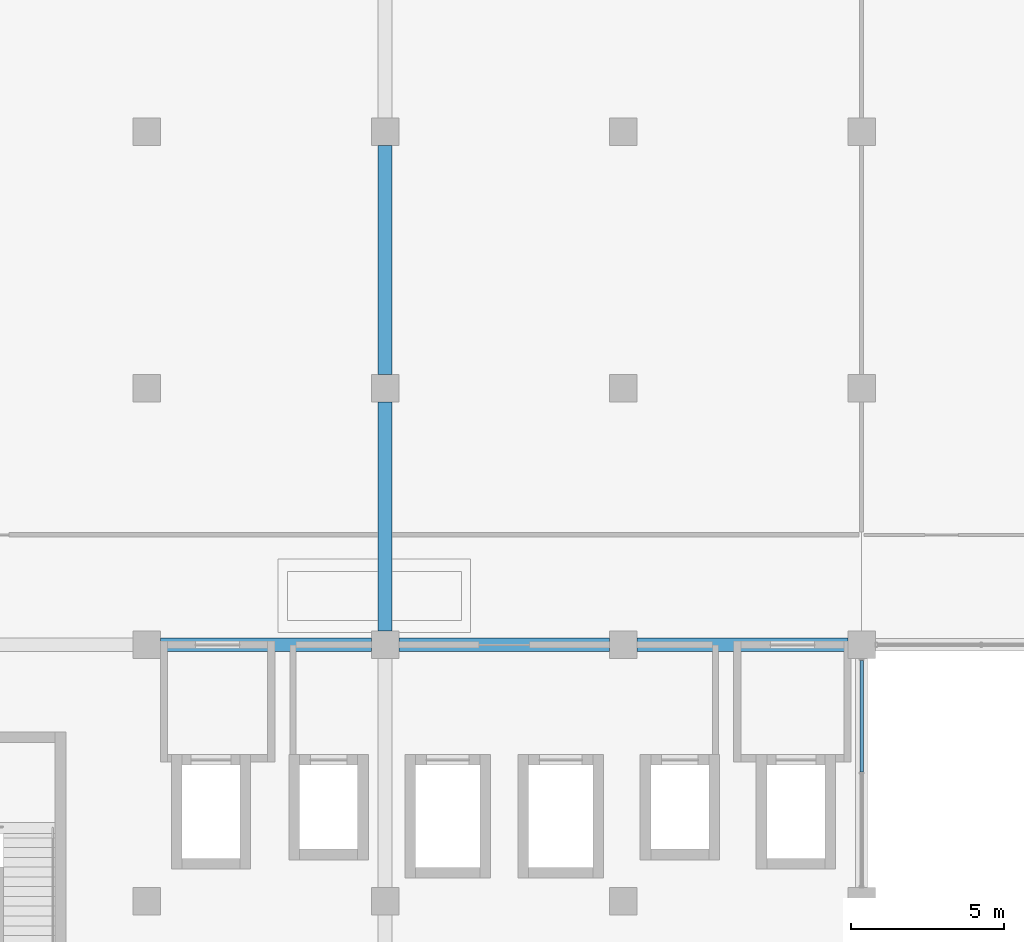
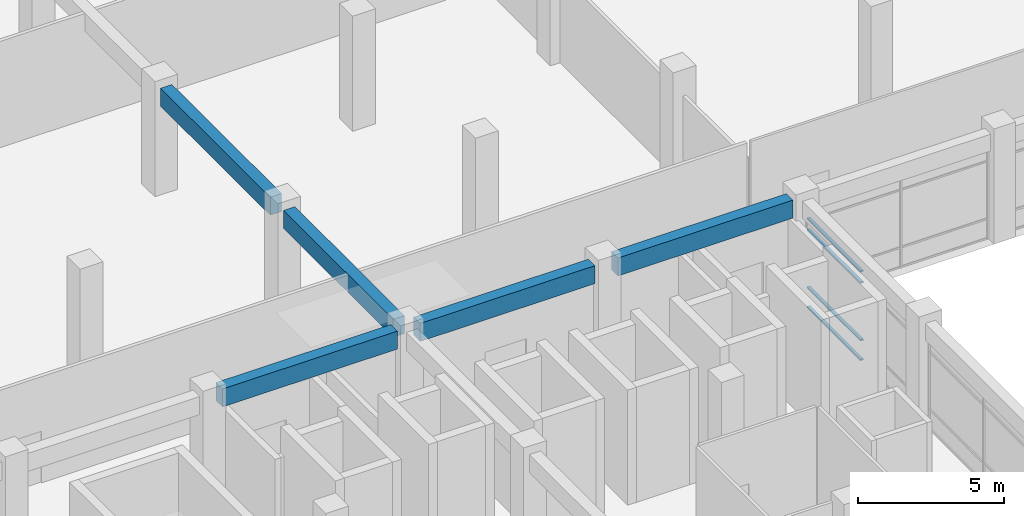
# One storey, part 9 of 79: 5 beams, 4 members, 1 element without a shape of its own.
"""IFC4 building model written with IfcOpenShell, lengths in metres."""

from ifc_helpers import new_model, si_unit, direction, frame, origin, origin_2d, place, context, subcontext, project, spatial, rectangle, hollow_rectangle, extrude, material, material_profile, profile_set, type_object, element, aggregate, save


model = new_model("IFC4")

# Units and contexts
model_context = context("Model", 3, precision=1e-05, world=origin(), true_north=direction((0.0, 1.0)))
body_context = subcontext(model_context, "Body", "Model", "MODEL_VIEW")
ifc_project = project(units=[si_unit("LENGTHUNIT", "METRE"), si_unit("AREAUNIT", "SQUARE_METRE"), si_unit("VOLUMEUNIT", "CUBIC_METRE"), si_unit("PLANEANGLEUNIT", "RADIAN"), si_unit("MASSUNIT", "GRAM", prefix="KILO"), si_unit("THERMODYNAMICTEMPERATUREUNIT", "KELVIN"), si_unit("POWERUNIT", "WATT")], contexts=[model_context])

# Site, building, storey
site_placement = place(None, origin())
site = spatial("IfcSite", under=ifc_project, at=site_placement, CompositionType="ELEMENT")
building_placement = place(site_placement, origin())
building = spatial("IfcBuilding", under=site, at=building_placement, Name="Srebrne Nadtorze General Hospital", CompositionType="ELEMENT")
storey_placement = place(building_placement, frame((0.0, 0.0, 4.800048828125)))
storey = spatial("IfcBuildingStorey", under=building, at=storey_placement, Name="L01", CompositionType="ELEMENT", Elevation=4.800048828125)

# Curtain wall, members
ifc_material_1 = material(Name="Anodised Aluminium", Category="aluminium")
curtain_wall_type = type_object("IfcCurtainWallType", Name="Unitised curtain wall 7500x3750", PredefinedType="NOTDEFINED", material=ifc_material_1)
curtain_wall_placement = place(storey_placement, origin())
curtain_wall = element("IfcCurtainWall", 1, at=curtain_wall_placement, inside=storey, type_object=curtain_wall_type, Name="Curtain wall CW-058", PredefinedType="NOTDEFINED")
ifc_material_2 = material(Name="Anodised Aluminium", Category="aluminium")
ifc_material_profile_1 = material_profile(ifc_material_2, hollow_rectangle(XDim=0.06005859375, YDim=0.1201171875, WallThickness=0.00390625, at=origin_2d()), Name="AL-TRN-60x120")
ifc_profile_set_1 = profile_set([ifc_material_profile_1], Name="Anodised Aluminium")
member_type = type_object("IfcMemberType", Name="Curtain transom 60x120", PredefinedType="USERDEFINED", material=ifc_profile_set_1)
member_1_placement = place(storey_placement, frame((54.60009765625, 46.22998046875, 0.030029296875), z_axis=(0.0, 1.0, 0.0), x_axis=(0.0, 0.0, 1.0)))
member_1 = element("IfcMember", 2, at=member_1_placement, type_object=member_type, Name="CW-058 transom 2.1", ObjectType="TRANSOM", PredefinedType="USERDEFINED", context=body_context, shape_type="SweptSolid", body=[
    extrude(hollow_rectangle(XDim=0.06005859375, YDim=0.1201171875, WallThickness=0.00390625, at=origin_2d()), origin(), (0.0, 0.0, 1.0), 3.659912109375),
])
member_2_placement = place(storey_placement, frame((54.60009765625, 46.22998046875, 0.849853515625), z_axis=(0.0, 1.0, 0.0), x_axis=(0.0, 0.0, 1.0)))
member_2 = element("IfcMember", 3, at=member_2_placement, type_object=member_type, Name="CW-058 transom 2.2", ObjectType="TRANSOM", PredefinedType="USERDEFINED", context=body_context, shape_type="SweptSolid", body=[
    extrude(hollow_rectangle(XDim=0.06005859375, YDim=0.1201171875, WallThickness=0.00390625, at=origin_2d()), origin(), (0.0, 0.0, 1.0), 3.659912109375),
])
member_3_placement = place(storey_placement, frame((54.60009765625, 46.22998046875, 3.25), z_axis=(0.0, 1.0, 0.0), x_axis=(0.0, 0.0, 1.0)))
member_3 = element("IfcMember", 4, at=member_3_placement, type_object=member_type, Name="CW-058 transom 2.3", ObjectType="TRANSOM", PredefinedType="USERDEFINED", context=body_context, shape_type="SweptSolid", body=[
    extrude(hollow_rectangle(XDim=0.06005859375, YDim=0.1201171875, WallThickness=0.00390625, at=origin_2d()), origin(), (0.0, 0.0, 1.0), 3.659912109375),
])
member_4_placement = place(storey_placement, frame((54.60009765625, 46.22998046875, 3.719970703125), z_axis=(0.0, 1.0, 0.0), x_axis=(0.0, 0.0, 1.0)))
member_4 = element("IfcMember", 5, at=member_4_placement, type_object=member_type, Name="CW-058 transom 2.4", ObjectType="TRANSOM", PredefinedType="USERDEFINED", context=body_context, shape_type="SweptSolid", body=[
    extrude(hollow_rectangle(XDim=0.06005859375, YDim=0.1201171875, WallThickness=0.00390625, at=origin_2d()), origin(), (0.0, 0.0, 1.0), 3.659912109375),
])
aggregate(curtain_wall, [member_1, member_2, member_3, member_4])

# Beams
ifc_material_3 = material(Name="Concrete C40/50", Category="concrete")
ifc_material_profile_2 = material_profile(ifc_material_3, rectangle(XDim=0.449951171875, YDim=0.75, at=origin_2d()), Name="RC-BM-450x750")
ifc_profile_set_2 = profile_set([ifc_material_profile_2], Name="Concrete C40/50")
beam_type = type_object("IfcBeamType", Name="Primary beam RC 450x750", PredefinedType="BEAM", material=ifc_profile_set_2)
for number, where, z_axis, x_axis, name in (
    (6, (31.64990234375, 50.39990234375, 4.074951171875), (1.0, 0.0, 0.0), (0.0, 1.0, 0.0), "Beam BM-L01-X-0409"),
    (7, (39.449951171875, 50.39990234375, 4.074951171875), (1.0, 0.0, 0.0), (0.0, 1.0, 0.0), "Beam BM-L01-X-0410"),
):
    element("IfcBeam", number, at=place(storey_placement, frame(where, z_axis=z_axis, x_axis=x_axis)), inside=storey, type_object=beam_type, Name=name, PredefinedType="BEAM", context=body_context, shape_type="SweptSolid", body=[
        extrude(rectangle(XDim=0.449951171875, YDim=0.75, at=origin_2d()), origin(), (0.0, 0.0, 1.0), 6.900146484375),
    ])
beam_placement = place(storey_placement, frame((47.25, 50.39990234375, 4.074951171875), z_axis=(1.0, 0.0, 0.0), x_axis=(0.0, 1.0, 0.0)))
element("IfcBeam", 8, at=beam_placement, inside=storey, type_object=beam_type, Name="Beam BM-L01-X-0411", PredefinedType="BEAM", context=body_context, shape_type="SweptSolid", body=[
    extrude(rectangle(XDim=0.449951171875, YDim=0.75, at=origin_2d()), origin(), (0.0, 0.0, 1.0), 6.89990234375),
])
for number, where, z_axis, x_axis, name in (
    (9, (39.0, 50.85009765625, 4.074951171875), (0.0, 1.0, 0.0), (-1.0, 0.0, 0.0), "Beam BM-L01-Y-0485"),
    (10, (39.0, 59.25, 4.074951171875), (0.0, 1.0, 0.0), (-1.0, 0.0, 0.0), "Beam BM-L01-Y-0486"),
):
    element("IfcBeam", number, at=place(storey_placement, frame(where, z_axis=z_axis, x_axis=x_axis)), inside=storey, type_object=beam_type, Name=name, PredefinedType="BEAM", context=body_context, shape_type="SweptSolid", body=[
        extrude(rectangle(XDim=0.449951171875, YDim=0.75, at=origin_2d()), origin(), (0.0, 0.0, 1.0), 7.5),
    ])

save(model, "model.ifc")
